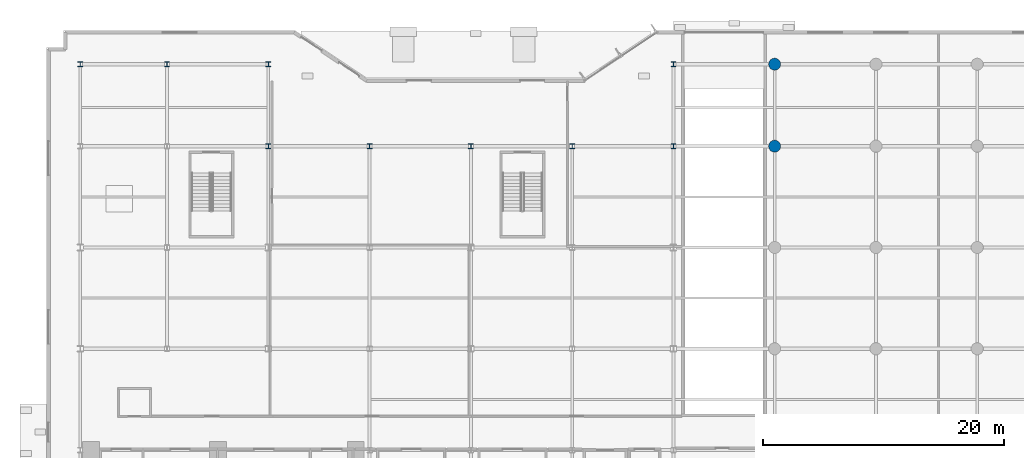
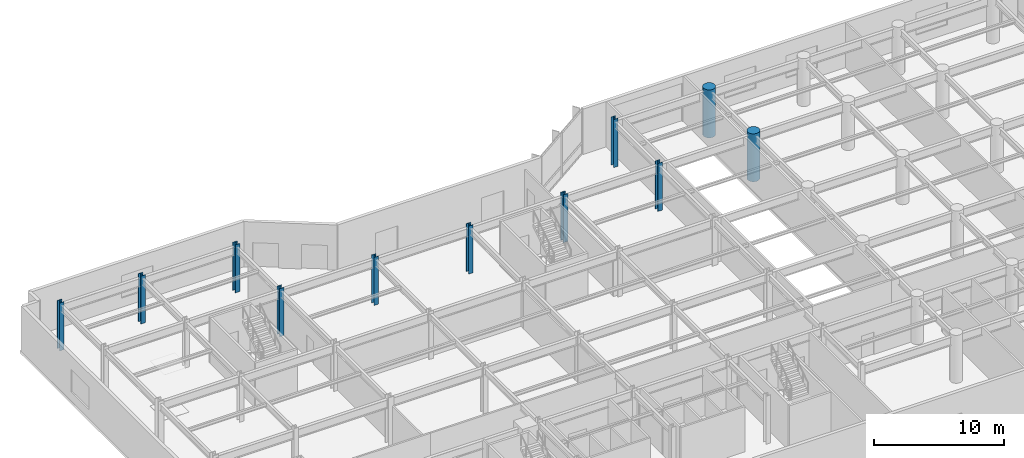
# One storey, part 3 of 26: 11 columns.
"""IFC4 building model written with IfcOpenShell, lengths in metres."""

from ifc_helpers import new_model, si_unit, direction, frame, origin, origin_2d, place, context, subcontext, project, spatial, circle, i_section, extrude, material, material_profile, profile_set, type_object, element, save


model = new_model("IFC4")

# Units and contexts
model_context = context("Model", 3, precision=1e-05, world=origin(), true_north=direction((0.0, 1.0)))
body_context = subcontext(model_context, "Body", "Model", "MODEL_VIEW")
ifc_project = project(units=[si_unit("LENGTHUNIT", "METRE"), si_unit("AREAUNIT", "SQUARE_METRE"), si_unit("VOLUMEUNIT", "CUBIC_METRE"), si_unit("PLANEANGLEUNIT", "RADIAN"), si_unit("MASSUNIT", "GRAM", prefix="KILO")], contexts=[model_context])

# Site, building, storey
site_placement = place(None, origin())
site = spatial("IfcSite", under=ifc_project, at=site_placement, CompositionType="ELEMENT")
building_placement = place(site_placement, origin())
building = spatial("IfcBuilding", under=site, at=building_placement, Name="Varnakote Quay Hospital", CompositionType="ELEMENT")
storey_placement = place(building_placement, origin())
storey = spatial("IfcBuildingStorey", under=building, at=storey_placement, Name="L00", CompositionType="ELEMENT", Elevation=0.0)

# Columns
ifc_material_1 = material(Name="Concrete N65 (f'c 65 MPa)", Category="concrete")
ifc_material_profile_1 = material_profile(ifc_material_1, circle(Radius=0.5, at=origin_2d()), Name="RC-COL-D1000")
ifc_profile_set_1 = profile_set([ifc_material_profile_1], Name="Concrete N65 (f'c 65 MPa)")
column_type_1 = type_object("IfcColumnType", Name="COL-RC-D1000", PredefinedType="COLUMN", material=ifc_profile_set_1)
for number, where, z_axis, x_axis, name in (
    (1, (58.800048828125, 37.199951171875, 0.0), (0.0, 0.0, 1.0), (1.0, 0.0, 0.0), "L00 Structural Column C-59-37"),
    (2, (58.800048828125, 44.0, 0.0), (0.0, 0.0, 1.0), (1.0, 0.0, 0.0), "L00 Structural Column C-59-44"),
):
    element("IfcColumn", number, at=place(storey_placement, frame(where, z_axis=z_axis, x_axis=x_axis)), inside=storey, type_object=column_type_1, Name=name, PredefinedType="COLUMN", context=body_context, shape_type="SweptSolid", body=[
        extrude(circle(Radius=0.5, at=origin_2d()), origin(), (0.0, 0.0, 1.0), 4.5),
    ])
ifc_material_2 = material(Name="Structural steel AS/NZS 3678 Grade 350 (fy 340 MPa)", Category="steel")
ifc_material_profile_2 = material_profile(ifc_material_2, i_section(OverallWidth=0.39990234375, OverallDepth=0.419921875, WebThickness=0.02490234375, FlangeThickness=0.0400390625, at=origin_2d()), Name="400WC328")
ifc_profile_set_2 = profile_set([ifc_material_profile_2], Name="Structural steel AS/NZS 3678 Grade 350 (fy 340 MPa)")
column_type_2 = type_object("IfcColumnType", Name="COL-STL-400WC328", PredefinedType="COLUMN", material=ifc_profile_set_2)
for number, where, z_axis, x_axis, name in (
    (3, (16.800048828125, 37.199951171875, 0.0), (0.0, 0.0, 1.0), (1.0, 0.0, 0.0), "L00 Structural Column C-17-37"),
    (4, (25.199951171875, 37.199951171875, 0.0), (0.0, 0.0, 1.0), (1.0, 0.0, 0.0), "L00 Structural Column C-25-37"),
    (5, (33.60009765625, 37.199951171875, 0.0), (0.0, 0.0, 1.0), (1.0, 0.0, 0.0), "L00 Structural Column C-34-37"),
    (6, (42.0, 37.199951171875, 0.0), (0.0, 0.0, 1.0), (1.0, 0.0, 0.0), "L00 Structural Column C-42-37"),
    (7, (50.39990234375, 37.199951171875, 0.0), (0.0, 0.0, 1.0), (1.0, 0.0, 0.0), "L00 Structural Column C-50-37"),
    (8, (1.199951171875, 44.0, 0.0), (0.0, 0.0, 1.0), (1.0, 0.0, 0.0), "L00 Structural Column C-1-44"),
    (9, (8.39990234375, 44.0, 0.0), (0.0, 0.0, 1.0), (1.0, 0.0, 0.0), "L00 Structural Column C-8-44"),
    (10, (16.800048828125, 44.0, 0.0), (0.0, 0.0, 1.0), (1.0, 0.0, 0.0), "L00 Structural Column C-17-44"),
    (11, (50.39990234375, 44.0, 0.0), (0.0, 0.0, 1.0), (1.0, 0.0, 0.0), "L00 Structural Column C-50-44"),
):
    element("IfcColumn", number, at=place(storey_placement, frame(where, z_axis=z_axis, x_axis=x_axis)), inside=storey, type_object=column_type_2, Name=name, PredefinedType="COLUMN", context=body_context, shape_type="SweptSolid", body=[
        extrude(i_section(OverallWidth=0.39990234375, OverallDepth=0.419921875, WebThickness=0.02490234375, FlangeThickness=0.0400390625, at=origin_2d()), origin(), (0.0, 0.0, 1.0), 4.5),
    ])

save(model, "model.ifc")
